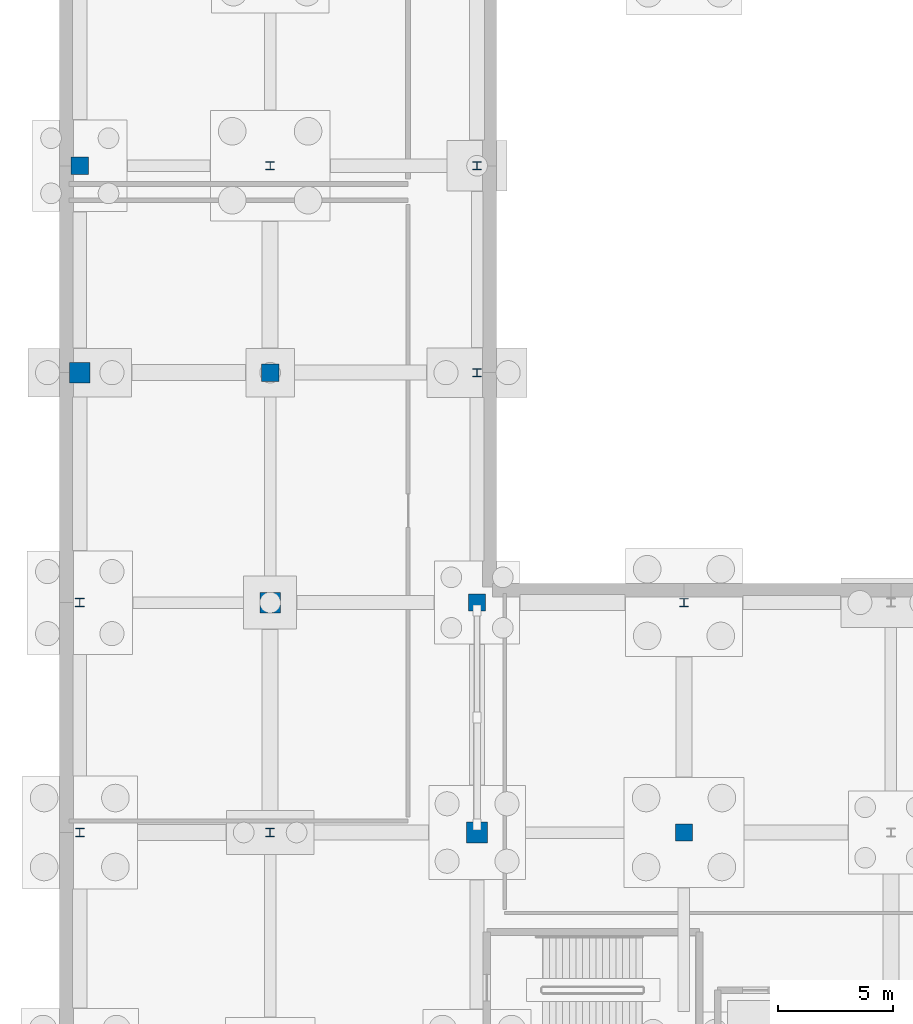
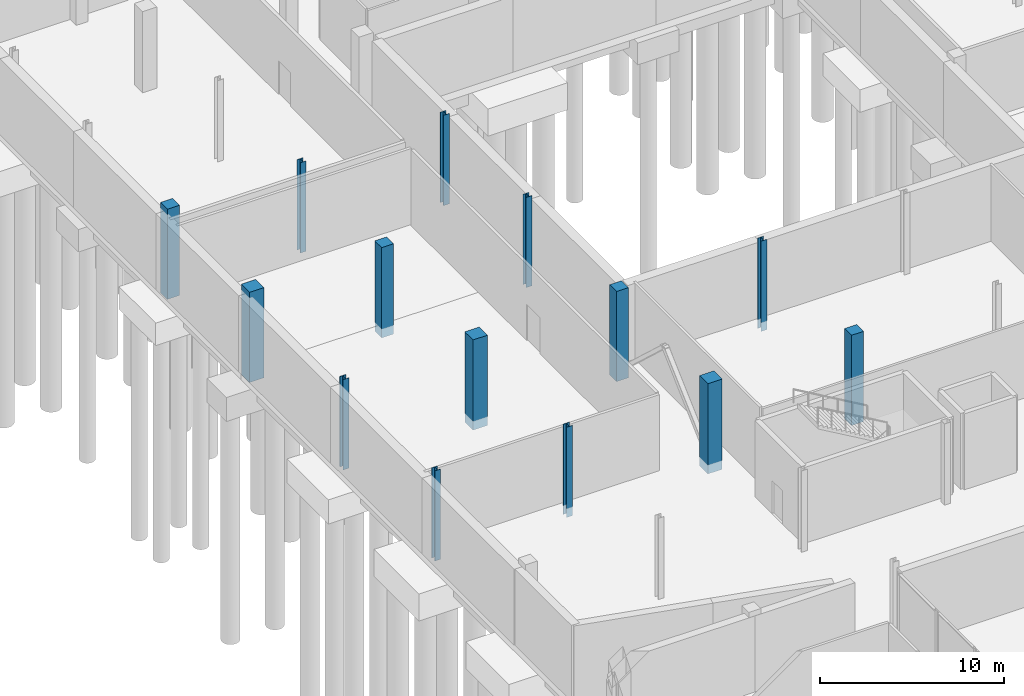
# One storey, part 24 of 60: 14 columns.
"""IFC4 building model written with IfcOpenShell, lengths in metres."""

from ifc_helpers import new_model, si_unit, direction, frame, origin, origin_2d, place, context, subcontext, project, spatial, rectangle, i_section, extrude, material, material_profile, profile_set, type_object, element, save


model = new_model("IFC4")

# Units and contexts
model_context = context("Model", 3, precision=1e-05, world=origin(), true_north=direction((0.0, 1.0)))
body_context = subcontext(model_context, "Body", "Model", "MODEL_VIEW")
ifc_project = project(units=[si_unit("LENGTHUNIT", "METRE"), si_unit("AREAUNIT", "SQUARE_METRE"), si_unit("VOLUMEUNIT", "CUBIC_METRE"), si_unit("PLANEANGLEUNIT", "RADIAN"), si_unit("MASSUNIT", "GRAM", prefix="KILO")], contexts=[model_context])

# Site, building, storey
site_placement = place(None, origin())
site = spatial("IfcSite", under=ifc_project, at=site_placement, CompositionType="ELEMENT")
building_placement = place(site_placement, origin())
building = spatial("IfcBuilding", under=site, at=building_placement, Name="Trimount Lyric Opera House", CompositionType="ELEMENT")
storey_placement = place(building_placement, frame((0.0, 0.0, -5.39990234375)))
storey = spatial("IfcBuildingStorey", under=building, at=storey_placement, Name="B1", CompositionType="ELEMENT", Elevation=-5.39990234375)

# Columns
ifc_material_1 = material(Name="Steel ASTM A992 Grade 50", Category="steel")
ifc_material_profile_1 = material_profile(ifc_material_1, i_section(OverallWidth=0.373046875, OverallDepth=0.367919921875, WebThickness=0.014892578125, FlangeThickness=0.02392578125, FilletRadius=0.014892578125, at=origin_2d()), Name="W14X120")
ifc_profile_set_1 = profile_set([ifc_material_profile_1], Name="Steel ASTM A992 Grade 50")
column_type_1 = type_object("IfcColumnType", Name="C-04", PredefinedType="COLUMN", material=ifc_profile_set_1)
for number, where, z_axis, x_axis, name in (
    (1, (0.719970703125, 74.0, -0.60009765625), (0.0, 0.0, 1.0), (1.0, 0.0, 0.0), "B1 column 1/J"),
    (2, (9.0, 64.0, -0.60009765625), (0.0, 0.0, 1.0), (1.0, 0.0, 0.0), "B1 column 2/H"),
    (3, (18.0, 93.0, -0.60009765625), (0.0, 0.0, 1.0), (1.0, 0.0, 0.0), "B1 column 3/L"),
):
    element("IfcColumn", number, at=place(storey_placement, frame(where, z_axis=z_axis, x_axis=x_axis)), inside=storey, type_object=column_type_1, Name=name, PredefinedType="COLUMN", context=body_context, shape_type="SweptSolid", body=[
        extrude(i_section(OverallWidth=0.373046875, OverallDepth=0.367919921875, WebThickness=0.014892578125, FlangeThickness=0.02392578125, FilletRadius=0.014892578125, at=origin_2d()), origin(), (0.0, 0.0, 1.0), 6.0),
    ])
ifc_material_2 = material(Name="Steel ASTM A992 Grade 50", Category="steel")
ifc_material_profile_2 = material_profile(ifc_material_2, i_section(OverallWidth=0.367919921875, OverallDepth=0.35595703125, WebThickness=0.01123046875, FlangeThickness=0.01806640625, FilletRadius=0.014892578125, at=origin_2d()), Name="W14X90")
ifc_profile_set_2 = profile_set([ifc_material_profile_2], Name="Steel ASTM A992 Grade 50")
column_type_2 = type_object("IfcColumnType", Name="C-09", PredefinedType="COLUMN", material=ifc_profile_set_2)
for number, where, z_axis, x_axis, name in (
    (4, (0.719970703125, 64.0, -0.60009765625), (0.0, 0.0, 1.0), (1.0, 0.0, 0.0), "B1 column 1/H"),
    (5, (9.0, 93.0, -0.60009765625), (0.0, 0.0, 1.0), (1.0, 0.0, 0.0), "B1 column 2/L"),
    (6, (18.0, 84.0, -0.60009765625), (0.0, 0.0, 1.0), (1.0, 0.0, 0.0), "B1 column 3/K"),
    (7, (27.0, 74.0, -0.60009765625), (0.0, 0.0, 1.0), (1.0, 0.0, 0.0), "B1 column 4/J"),
):
    element("IfcColumn", number, at=place(storey_placement, frame(where, z_axis=z_axis, x_axis=x_axis)), inside=storey, type_object=column_type_2, Name=name, PredefinedType="COLUMN", context=body_context, shape_type="SweptSolid", body=[
        extrude(i_section(OverallWidth=0.367919921875, OverallDepth=0.35595703125, WebThickness=0.01123046875, FlangeThickness=0.01806640625, FilletRadius=0.014892578125, at=origin_2d()), origin(), (0.0, 0.0, 1.0), 6.0),
    ])
ifc_material_3 = material(Name="Concrete C50/60", Category="concrete")
ifc_material_profile_3 = material_profile(ifc_material_3, rectangle(XDim=0.89990234375, YDim=0.89990234375, at=origin_2d()), Name="RC900X900")
ifc_profile_set_3 = profile_set([ifc_material_profile_3], Name="Concrete C50/60")
column_type_3 = type_object("IfcColumnType", Name="C-13", PredefinedType="COLUMN", material=ifc_profile_set_3)
for number, where, z_axis, x_axis, name in (
    (8, (0.719970703125, 84.0, -0.60009765625), (0.0, 0.0, 1.0), (1.0, 0.0, 0.0), "B1 column 1/K"),
    (9, (9.0, 74.0, -0.60009765625), (0.0, 0.0, 1.0), (1.0, 0.0, 0.0), "B1 column 2/J"),
    (10, (18.0, 64.0, -0.60009765625), (0.0, 0.0, 1.0), (1.0, 0.0, 0.0), "B1 column 3/H"),
):
    element("IfcColumn", number, at=place(storey_placement, frame(where, z_axis=z_axis, x_axis=x_axis)), inside=storey, type_object=column_type_3, Name=name, PredefinedType="COLUMN", context=body_context, shape_type="SweptSolid", body=[
        extrude(rectangle(XDim=0.89990234375, YDim=0.89990234375, at=origin_2d()), origin(), (0.0, 0.0, 1.0), 6.0),
    ])
ifc_material_4 = material(Name="Concrete C40/50", Category="concrete")
ifc_material_profile_4 = material_profile(ifc_material_4, rectangle(XDim=0.75, YDim=0.75, at=origin_2d()), Name="RC750X750")
ifc_profile_set_4 = profile_set([ifc_material_profile_4], Name="Concrete C40/50")
column_type_4 = type_object("IfcColumnType", Name="C-15", PredefinedType="COLUMN", material=ifc_profile_set_4)
for number, where, z_axis, x_axis, name in (
    (11, (0.719970703125, 93.0, -0.60009765625), (0.0, 0.0, 1.0), (1.0, 0.0, 0.0), "B1 column 1/L"),
    (12, (9.0, 84.0, -0.60009765625), (0.0, 0.0, 1.0), (1.0, 0.0, 0.0), "B1 column 2/K"),
    (13, (18.0, 74.0, -0.60009765625), (0.0, 0.0, 1.0), (1.0, 0.0, 0.0), "B1 column 3/J"),
    (14, (27.0, 64.0, -0.60009765625), (0.0, 0.0, 1.0), (1.0, 0.0, 0.0), "B1 column 4/H"),
):
    element("IfcColumn", number, at=place(storey_placement, frame(where, z_axis=z_axis, x_axis=x_axis)), inside=storey, type_object=column_type_4, Name=name, PredefinedType="COLUMN", context=body_context, shape_type="SweptSolid", body=[
        extrude(rectangle(XDim=0.75, YDim=0.75, at=origin_2d()), origin(), (0.0, 0.0, 1.0), 6.0),
    ])

save(model, "model.ifc")
